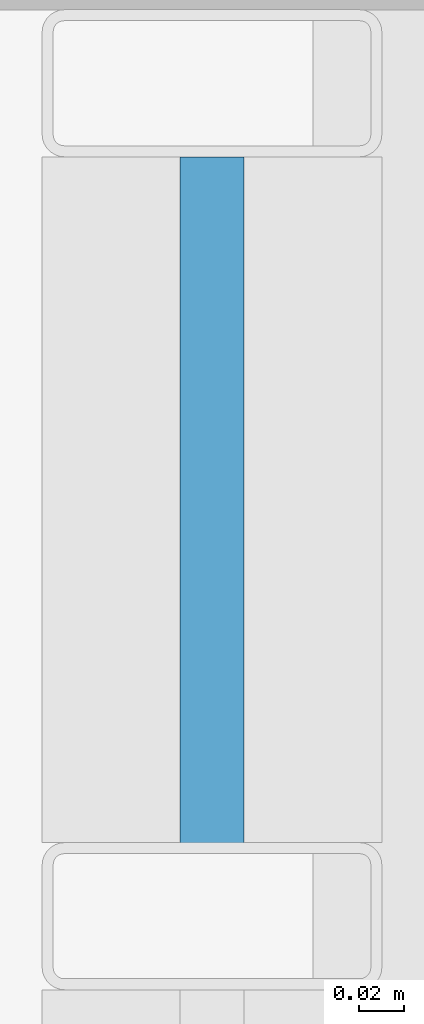
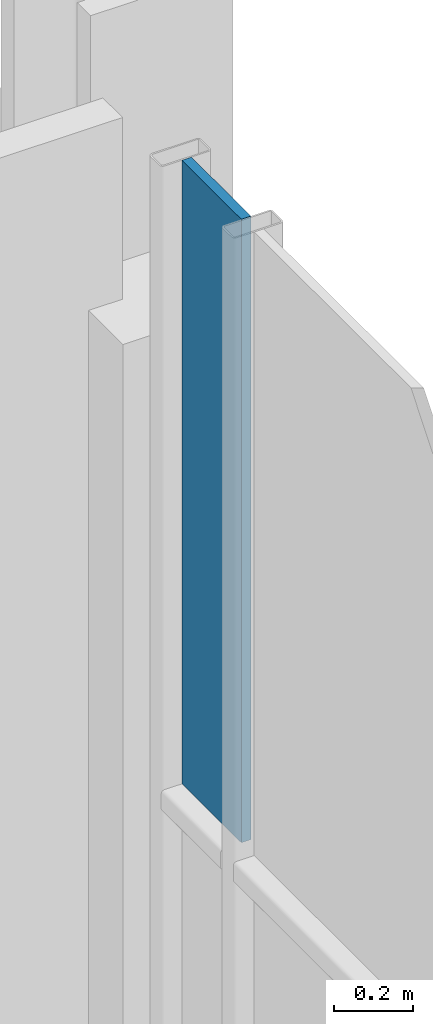
# One storey, part 28 of 41: 1 plate, 1 element without a shape of its own.
"""IFC4 building model written with IfcOpenShell, lengths in metres."""

from ifc_helpers import new_model, si_unit, direction, frame, origin, origin_2d, place, context, subcontext, project, spatial, rectangle, extrude, material, layer, layer_set, type_object, element, aggregate, save


model = new_model("IFC4")

# Units and contexts
model_context = context("Model", 3, precision=1e-05, world=origin(), true_north=direction((0.0, 1.0)))
body_context = subcontext(model_context, "Body", "Model", "MODEL_VIEW")
ifc_project = project(units=[si_unit("LENGTHUNIT", "METRE"), si_unit("AREAUNIT", "SQUARE_METRE"), si_unit("VOLUMEUNIT", "CUBIC_METRE"), si_unit("PLANEANGLEUNIT", "RADIAN"), si_unit("MASSUNIT", "GRAM", prefix="KILO")], contexts=[model_context])

# Site, building, storey
site_placement = place(None, origin())
site = spatial("IfcSite", under=ifc_project, at=site_placement, CompositionType="ELEMENT")
building_placement = place(site_placement, origin())
building = spatial("IfcBuilding", under=site, at=building_placement, Name="Brevholm Reach", CompositionType="ELEMENT")
storey_placement = place(building_placement, frame((0.0, 0.0, 86.89990234375)))
storey = spatial("IfcBuildingStorey", under=building, at=storey_placement, Name="L25", CompositionType="ELEMENT", Elevation=86.89990234375)

# Curtain wall, plate
ifc_material_1 = material(Name="Dark Anodised Aluminium 6063-T6 and Solar-Control Glass", Category="aluminium")
ifc_layer_1 = layer(ifc_material_1, 0.14990234375)
ifc_layer_set_1 = layer_set([ifc_layer_1], Name="Dark Anodised Aluminium 6063-T6 and Solar-Control Glass")
curtain_wall_type = type_object("IfcCurtainWallType", Name="CW-01", PredefinedType="NOTDEFINED", material=ifc_layer_set_1)
curtain_wall_placement = place(storey_placement, origin())
curtain_wall = element("IfcCurtainWall", 1, at=curtain_wall_placement, inside=storey, type_object=curtain_wall_type, Name="L25 Curtain Wall CW-01", PredefinedType="NOTDEFINED")
ifc_material_2 = material(Name="Dark Solar-Control Double-Glazed IGU Glass", Category="glass")
ifc_layer_2 = layer(ifc_material_2, 0.028076171875)
ifc_layer_set_2 = layer_set([ifc_layer_2], Name="Dark Solar-Control Double-Glazed IGU Glass")
plate_type = type_object("IfcPlateType", Name="CWP-GLZ-28", PredefinedType="CURTAIN_PANEL", material=ifc_layer_set_2)
plate_placement = place(storey_placement, frame((59.85009765625, 22.733642578125, 0.9326171875), z_axis=(0.0, 0.0, 1.0), x_axis=(0.0, 1.0, 0.0)))
plate = element("IfcPlate", 2, at=plate_placement, type_object=plate_type, Name="CP-01 Glazing Panel 5.2", PredefinedType="CURTAIN_PANEL", context=body_context, shape_type="SweptSolid", body=[
    extrude(rectangle(XDim=0.302490234375, YDim=0.028076171875, at=origin_2d()), origin(), (0.0, 0.0, 1.0), 1.9375),
])
aggregate(curtain_wall, [plate])

save(model, "model.ifc")
